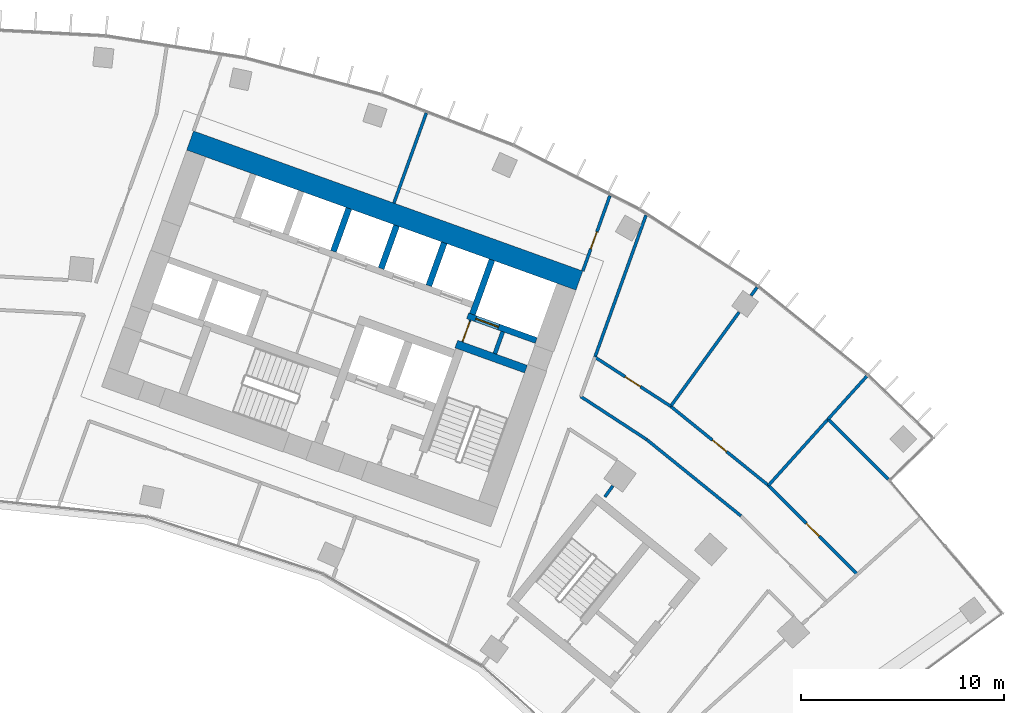
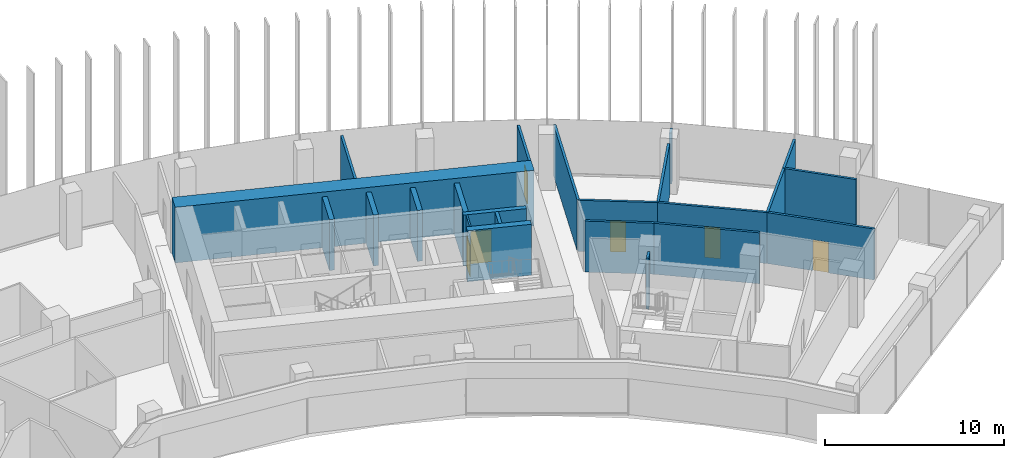
# One storey, part 17 of 20: 23 walls, 6 doors, 6 openings.
"""IFC4 building model written with IfcOpenShell, lengths in metres."""

from ifc_helpers import new_model, si_unit, direction, frame, frame_2d, origin, place, context, subcontext, project, spatial, rectangle, extrude, material, layer, layer_set, type_object, element, fill, save


model = new_model("IFC4")

# Units and contexts
model_context = context("Model", 3, precision=1e-05, world=origin(), true_north=direction((0.0, 1.0)))
body_context = subcontext(model_context, "Body", "Model", "MODEL_VIEW")
ifc_project = project(units=[si_unit("LENGTHUNIT", "METRE"), si_unit("AREAUNIT", "SQUARE_METRE"), si_unit("VOLUMEUNIT", "CUBIC_METRE"), si_unit("PLANEANGLEUNIT", "RADIAN"), si_unit("MASSUNIT", "GRAM", prefix="KILO")], contexts=[model_context])

# Site, building, storey
site_placement = place(None, origin())
site = spatial("IfcSite", under=ifc_project, at=site_placement, CompositionType="ELEMENT")
building_placement = place(site_placement, origin())
building = spatial("IfcBuilding", under=site, at=building_placement, Name="Stone Belt Terrace Tower", CompositionType="ELEMENT")
storey_placement = place(building_placement, frame((0.0, 0.0, 201.0)))
storey = spatial("IfcBuildingStorey", under=building, at=storey_placement, Name="L48", CompositionType="ELEMENT", Elevation=201.0)

# Wall, opening, door
ifc_material_1 = material(Name="Plasterboard partition")
ifc_layer_1 = layer(ifc_material_1, 0.10009765625)
ifc_layer_set_1 = layer_set([ifc_layer_1], Name="Core partition 100")
wall_type_1 = type_object("IfcWallType", Name="Core partition 100", PredefinedType="PARTITIONING", material=ifc_layer_set_1)
wall_1_placement = place(storey_placement, frame((24.555908203125, 51.10400390625, 0.0), z_axis=(0.0, 0.0, 1.0), x_axis=(0.338621735342, 0.94092258999, 0.0)))
wall_1 = element("IfcWall", 1, at=wall_1_placement, inside=storey, type_object=wall_type_1, Name="Core B wall", PredefinedType="PARTITIONING", context=body_context, shape_type="SweptSolid", body=[
    extrude(rectangle(XDim=1.14990234375, YDim=0.10009765625, at=frame_2d((0.574951171875, 0.0))), origin(), (0.0, 0.0, 1.0), 3.47998046875),
])
opening_1_placement = place(wall_1_placement, frame((0.050048828125, 0.0, 0.0)))
opening_1 = element("IfcOpeningElement", 2, at=opening_1_placement, cuts=wall_1, Name="Opening L48-C19", PredefinedType="OPENING", context=body_context, shape_type="SweptSolid", body=[
    extrude(rectangle(XDim=1.0, YDim=2.10009765625, at=frame_2d((0.5, 1.050048828125))), frame((0.0, 0.06005859375, 0.0), z_axis=(0.0, -1.0, 0.0), x_axis=(1.0, 0.0, 0.0)), (0.0, 0.0, 1.0), 0.1201171875),
])
ifc_material_2 = material(Name="Timber door leaf", Category="wood")
door_type_1 = type_object("IfcDoorType", Name="Core room door 1000", OperationType="SINGLE_SWING_LEFT", PredefinedType="DOOR", material=ifc_material_2)
door_1_placement = place(opening_1_placement, origin())
door_1 = element("IfcDoor", 3, at=door_1_placement, inside=storey, type_object=door_type_1, Name="Service lift lobby door core B", OperationType="SINGLE_SWING_RIGHT", OverallHeight=2.10009765625, OverallWidth=1.0, PredefinedType="DOOR", context=body_context, shape_type="SweptSolid", body=[
    extrude(rectangle(XDim=1.0, YDim=2.10009765625, at=frame_2d((0.5, 1.050048828125))), frame((0.0, 0.02490234375, 0.0), z_axis=(0.0, -1.0, 0.0), x_axis=(1.0, 0.0, 0.0)), (0.0, 0.0, 1.0), 0.050048828125),
])
fill(opening_1, door_1)

# Wall
ifc_material_3 = material(Name="Concrete B60", Category="concrete")
ifc_layer_2 = layer(ifc_material_3, 1.0)
ifc_layer_set_2 = layer_set([ifc_layer_2], Name="Core wall 1000 B60")
wall_type_2 = type_object("IfcWallType", Name="Core wall 1000 B60", PredefinedType="SHEAR", material=ifc_layer_set_2)
wall_2_placement = place(storey_placement, frame((11.12646484375, 61.038330078125, 0.0), z_axis=(0.0, 0.0, 1.0), x_axis=(0.940921428504, -0.338624962727, 0.0)))
element("IfcWall", 4, at=wall_2_placement, inside=storey, type_object=wall_type_2, Name="Core B wall convex L48", PredefinedType="SHEAR", context=body_context, shape_type="SweptSolid", body=[
    extrude(rectangle(XDim=20.400146484375, YDim=1.0, at=frame_2d((10.2001953125, 0.0))), origin(), (0.0, 0.0, 1.0), 3.800048828125),
])

# Wall, opening, door
ifc_material_4 = material(Name="Concrete B80", Category="concrete")
ifc_layer_3 = layer(ifc_material_4, 0.300048828125)
ifc_layer_set_3 = layer_set([ifc_layer_3], Name="Lift shaft wall 300")
wall_type_3 = type_object("IfcWallType", Name="Lift shaft wall 300", PredefinedType="SHEAR", material=ifc_layer_set_3)
wall_3_placement = place(storey_placement, frame((28.195068359375, 51.17578125, 0.0), z_axis=(0.0, 0.0, 1.0), x_axis=(-0.940901243567, 0.338681044427, 0.0)))
wall_3 = element("IfcWall", 5, at=wall_3_placement, inside=storey, type_object=wall_type_3, Name="Core B wall", PredefinedType="SHEAR", context=body_context, shape_type="SweptSolid", body=[
    extrude(rectangle(XDim=3.599853515625, YDim=0.300048828125, at=frame_2d((1.7998046875, 0.0))), origin(), (0.0, 0.0, 1.0), 3.47998046875),
])
opening_2_placement = place(wall_3_placement, frame((1.969970703125, 0.0, 0.0)))
opening_2 = element("IfcOpeningElement", 6, at=opening_2_placement, cuts=wall_3, Name="Opening L48-LD16", PredefinedType="OPENING", context=body_context, shape_type="SweptSolid", body=[
    extrude(rectangle(XDim=1.199951171875, YDim=2.199951171875, at=frame_2d((0.60009765625, 1.10009765625))), frame((0.0, 0.159912109375, 0.0), z_axis=(0.0, -1.0, 0.0), x_axis=(1.0, 0.0, 0.0)), (0.0, 0.0, 1.0), 0.320068359375),
])
ifc_material_5 = material(Name="Stainless steel door leaf", Category="steel")
door_type_2 = type_object("IfcDoorType", Name="Landing door 1200", OperationType="SLIDING_TO_LEFT", PredefinedType="DOOR", material=ifc_material_5)
door_2_placement = place(opening_2_placement, origin())
door_2 = element("IfcDoor", 7, at=door_2_placement, inside=storey, type_object=door_type_2, Name="Landing door SV1 core B", OperationType="SLIDING_TO_LEFT", OverallHeight=2.199951171875, OverallWidth=1.199951171875, PredefinedType="DOOR", context=body_context, shape_type="SweptSolid", body=[
    extrude(rectangle(XDim=1.199951171875, YDim=2.199951171875, at=frame_2d((0.60009765625, 1.10009765625))), frame((0.0, 0.02490234375, 0.0), z_axis=(0.0, -1.0, 0.0), x_axis=(1.0, 0.0, 0.0)), (0.0, 0.0, 1.0), 0.050048828125),
])
fill(opening_2, door_2)

# Walls
wall_4_placement = place(storey_placement, frame((25.046875, 52.46826171875, 0.0), z_axis=(0.0, 0.0, 1.0), x_axis=(0.338549588058, 0.940948551423, 0.0)))
element("IfcWall", 8, at=wall_4_placement, inside=storey, type_object=wall_type_3, Name="Core B wall", PredefinedType="SHEAR", context=body_context, shape_type="SweptSolid", body=[
    extrude(rectangle(XDim=2.849853515625, YDim=0.300048828125, at=frame_2d((1.4248046875, 0.0))), origin(), (0.0, 0.0, 1.0), 3.47998046875),
])
wall_5_placement = place(storey_placement, frame((22.897705078125, 53.87939453125, 0.0), z_axis=(0.0, 0.0, 1.0), x_axis=(0.338535034312, 0.940953787677, 0.0)))
element("IfcWall", 9, at=wall_5_placement, inside=storey, type_object=wall_type_3, Name="Core B wall", PredefinedType="SHEAR", context=body_context, shape_type="SweptSolid", body=[
    extrude(rectangle(XDim=2.25, YDim=0.300048828125, at=frame_2d((1.125, 0.0))), origin(), (0.0, 0.0, 1.0), 3.47998046875),
])
wall_6_placement = place(storey_placement, frame((20.54541015625, 54.72607421875, 0.0), z_axis=(0.0, 0.0, 1.0), x_axis=(0.338569601369, 0.940941350472, 0.0)))
element("IfcWall", 10, at=wall_6_placement, inside=storey, type_object=wall_type_3, Name="Core B wall", PredefinedType="SHEAR", context=body_context, shape_type="SweptSolid", body=[
    extrude(rectangle(XDim=2.249755859375, YDim=0.300048828125, at=frame_2d((1.125, 0.0))), origin(), (0.0, 0.0, 1.0), 3.47998046875),
])
wall_7_placement = place(storey_placement, frame((18.193115234375, 55.572509765625, 0.0), z_axis=(0.0, 0.0, 1.0), x_axis=(0.338535034312, 0.940953787677, 0.0)))
element("IfcWall", 11, at=wall_7_placement, inside=storey, type_object=wall_type_3, Name="Core B wall", PredefinedType="SHEAR", context=body_context, shape_type="SweptSolid", body=[
    extrude(rectangle(XDim=2.25, YDim=0.300048828125, at=frame_2d((1.125, 0.0))), origin(), (0.0, 0.0, 1.0), 3.47998046875),
])

# Wall, opening, door
ifc_material_6 = material(Name="Gypsum board partition")
ifc_layer_4 = layer(ifc_material_6, 0.14990234375)
ifc_layer_set_4 = layer_set([ifc_layer_4], Name="PARTITION 150 EI 60")
wall_type_4 = type_object("IfcWallType", Name="PARTITION 150 EI 60", PredefinedType="PARTITIONING", material=ifc_layer_set_4)
wall_8_placement = place(storey_placement, frame((30.490966796875, 54.60107421875, 0.0), z_axis=(0.0, 0.0, 1.0), x_axis=(0.338542007836, 0.940951278723, 0.0)))
wall_8 = element("IfcWall", 12, at=wall_8_placement, inside=storey, type_object=wall_type_4, Name="L48/wall/i026", PredefinedType="PARTITIONING", context=body_context, shape_type="SweptSolid", body=[
    extrude(rectangle(XDim=3.946044921875, YDim=0.14990234375, at=frame_2d((1.97314453125, 0.0))), origin(), (0.0, 0.0, 1.0), 3.47998046875),
])
opening_3_placement = place(wall_8_placement, frame((1.15625, 0.0, 0.0)))
opening_3 = element("IfcOpeningElement", 13, at=opening_3_placement, cuts=wall_8, Name="Opening D-D1-10", PredefinedType="OPENING", context=body_context, shape_type="SweptSolid", body=[
    extrude(rectangle(XDim=0.89990234375, YDim=2.10009765625, at=frame_2d((0.449951171875, 1.050048828125))), frame((0.0, 0.0849609375, 0.0), z_axis=(0.0, -1.0, 0.0), x_axis=(1.0, 0.0, 0.0)), (0.0, 0.0, 1.0), 0.169921875),
])
door_type_3 = type_object("IfcDoorType", Name="OFFICE DOOR 900 X 2100", OperationType="NOTDEFINED", PredefinedType="DOOR", material=ifc_material_2)
door_3_placement = place(opening_3_placement, origin())
door_3 = element("IfcDoor", 14, at=door_3_placement, inside=storey, type_object=door_type_3, Name="L48/door/i10", OperationType="SINGLE_SWING_LEFT", OverallHeight=2.10009765625, OverallWidth=0.89990234375, PredefinedType="DOOR", context=body_context, shape_type="SweptSolid", body=[
    extrude(rectangle(XDim=0.89990234375, YDim=2.10009765625, at=frame_2d((0.449951171875, 1.050048828125))), frame((0.0, 0.02490234375, 0.0), z_axis=(0.0, -1.0, 0.0), x_axis=(1.0, 0.0, 0.0)), (0.0, 0.0, 1.0), 0.050048828125),
])
fill(opening_3, door_3)

# Walls
wall_9_placement = place(storey_placement, frame((33.60791015625, 57.35400390625, 0.0), z_axis=(0.0, 0.0, 1.0), x_axis=(-0.33863814551, -0.940916684094, 0.0)))
element("IfcWall", 15, at=wall_9_placement, inside=storey, type_object=wall_type_4, Name="L48/wall/i031", PredefinedType="PARTITIONING", context=body_context, shape_type="SweptSolid", body=[
    extrude(rectangle(XDim=7.441650390625, YDim=0.14990234375, at=frame_2d((3.720703125, 0.0))), origin(), (0.0, 0.0, 1.0), 3.47998046875),
])
wall_10_placement = place(storey_placement, frame((22.77392578125, 62.39111328125, 0.0), z_axis=(0.0, 0.0, 1.0), x_axis=(-0.338561837607, -0.940944143994, 0.0)))
element("IfcWall", 16, at=wall_10_placement, inside=storey, type_object=wall_type_4, Name="L48/wall/i038", PredefinedType="PARTITIONING", context=body_context, shape_type="SweptSolid", body=[
    extrude(rectangle(XDim=4.716796875, YDim=0.14990234375, at=frame_2d((2.3583984375, 0.0))), origin(), (0.0, 0.0, 1.0), 3.47998046875),
])
wall_11_placement = place(storey_placement, frame((31.580078125, 43.466064453125, 0.0), z_axis=(0.0, 0.0, 1.0), x_axis=(0.587823865289, 0.808988938983, 0.0)))
element("IfcWall", 17, at=wall_11_placement, inside=storey, type_object=wall_type_4, Name="L48/wall/i043", PredefinedType="PARTITIONING", context=body_context, shape_type="SweptSolid", body=[
    extrude(rectangle(XDim=0.66796875, YDim=0.14990234375, at=frame_2d((0.333984375, 0.0))), origin(), (0.0, 0.0, 1.0), 3.47998046875),
])
wall_12_placement = place(storey_placement, frame((30.39111328125, 48.4150390625, 0.0), z_axis=(0.0, 0.0, 1.0), x_axis=(0.837265796004, -0.546796110851, 0.0)))
element("IfcWall", 18, at=wall_12_placement, inside=storey, type_object=wall_type_4, Name="L48/wall/i046", PredefinedType="PARTITIONING", context=body_context, shape_type="SweptSolid", body=[
    extrude(rectangle(XDim=3.87548828125, YDim=0.14990234375, at=frame_2d((1.937744140625, 0.0))), origin(), (0.0, 0.0, 1.0), 3.47998046875),
])
wall_13_placement = place(storey_placement, frame((33.635986328125, 46.2958984375, 0.0), z_axis=(0.0, 0.0, 1.0), x_axis=(0.77714422733, -0.629322532513, 0.0)))
element("IfcWall", 19, at=wall_13_placement, inside=storey, type_object=wall_type_4, Name="L48/wall/i047", PredefinedType="PARTITIONING", context=body_context, shape_type="SweptSolid", body=[
    extrude(rectangle(XDim=5.98876953125, YDim=0.14990234375, at=frame_2d((2.994384765625, 0.0))), origin(), (0.0, 0.0, 1.0), 3.47998046875),
])

# Wall, opening, door
wall_14_placement = place(storey_placement, frame((31.090087890625, 50.35693359375, 0.0), z_axis=(0.0, 0.0, 1.0), x_axis=(0.838646515126, -0.544676071319, 0.0)))
wall_14 = element("IfcWall", 20, at=wall_14_placement, inside=storey, type_object=wall_type_4, Name="L48/wall/i052", PredefinedType="PARTITIONING", context=body_context, shape_type="SweptSolid", body=[
    extrude(rectangle(XDim=4.452392578125, YDim=0.14990234375, at=frame_2d((2.22607421875, 0.0))), origin(), (0.0, 0.0, 1.0), 3.47998046875),
])
opening_4_placement = place(wall_14_placement, frame((1.776123046875, 0.0, 0.0)))
opening_4 = element("IfcOpeningElement", 21, at=opening_4_placement, cuts=wall_14, Name="Opening D-D1-16", PredefinedType="OPENING", context=body_context, shape_type="SweptSolid", body=[
    extrude(rectangle(XDim=0.89990234375, YDim=2.10009765625, at=frame_2d((0.449951171875, 1.050048828125))), frame((0.0, 0.0849609375, 0.0), z_axis=(0.0, -1.0, 0.0), x_axis=(1.0, 0.0, 0.0)), (0.0, 0.0, 1.0), 0.169921875),
])
door_4_placement = place(opening_4_placement, origin())
door_4 = element("IfcDoor", 22, at=door_4_placement, inside=storey, type_object=door_type_3, Name="L48/door/i16", OperationType="SINGLE_SWING_RIGHT", OverallHeight=2.10009765625, OverallWidth=0.89990234375, PredefinedType="DOOR", context=body_context, shape_type="SweptSolid", body=[
    extrude(rectangle(XDim=0.89990234375, YDim=2.10009765625, at=frame_2d((0.449951171875, 1.050048828125))), frame((0.0, 0.02490234375, 0.0), z_axis=(0.0, -1.0, 0.0), x_axis=(1.0, 0.0, 0.0)), (0.0, 0.0, 1.0), 0.050048828125),
])
fill(opening_4, door_4)

wall_15_placement = place(storey_placement, frame((34.823974609375, 47.931884765625, 0.0), z_axis=(0.0, 0.0, 1.0), x_axis=(0.777176112755, -0.629283155473, 0.0)))
wall_15 = element("IfcWall", 23, at=wall_15_placement, inside=storey, type_object=wall_type_4, Name="L48/wall/i053", PredefinedType="PARTITIONING", context=body_context, shape_type="SweptSolid", body=[
    extrude(rectangle(XDim=6.2021484375, YDim=0.14990234375, at=frame_2d((3.10107421875, 0.0))), origin(), (0.0, 0.0, 1.0), 3.47998046875),
])
opening_5_placement = place(wall_15_placement, frame((2.651123046875, 0.0, 0.0)))
opening_5 = element("IfcOpeningElement", 24, at=opening_5_placement, cuts=wall_15, Name="Opening D-D1-17", PredefinedType="OPENING", context=body_context, shape_type="SweptSolid", body=[
    extrude(rectangle(XDim=0.89990234375, YDim=2.10009765625, at=frame_2d((0.449951171875, 1.050048828125))), frame((0.0, 0.0849609375, 0.0), z_axis=(0.0, -1.0, 0.0), x_axis=(1.0, 0.0, 0.0)), (0.0, 0.0, 1.0), 0.169921875),
])
door_5_placement = place(opening_5_placement, origin())
door_5 = element("IfcDoor", 25, at=door_5_placement, inside=storey, type_object=door_type_3, Name="L48/door/i17", OperationType="SINGLE_SWING_RIGHT", OverallHeight=2.10009765625, OverallWidth=0.89990234375, PredefinedType="DOOR", context=body_context, shape_type="SweptSolid", body=[
    extrude(rectangle(XDim=0.89990234375, YDim=2.10009765625, at=frame_2d((0.449951171875, 1.050048828125))), frame((0.0, 0.02490234375, 0.0), z_axis=(0.0, -1.0, 0.0), x_axis=(1.0, 0.0, 0.0)), (0.0, 0.0, 1.0), 0.050048828125),
])
fill(opening_5, door_5)

wall_16_placement = place(storey_placement, frame((39.639892578125, 44.032958984375, 0.0), z_axis=(0.0, 0.0, 1.0), x_axis=(0.707126447351, -0.707087114475, 0.0)))
wall_16 = element("IfcWall", 26, at=wall_16_placement, inside=storey, type_object=wall_type_4, Name="L48/wall/i054", PredefinedType="PARTITIONING", context=body_context, shape_type="SweptSolid", body=[
    extrude(rectangle(XDim=6.20703125, YDim=0.14990234375, at=frame_2d((3.103515625, 0.0))), origin(), (0.0, 0.0, 1.0), 3.47998046875),
])
opening_6_placement = place(wall_16_placement, frame((2.653564453125, 0.0, 0.0)))
opening_6 = element("IfcOpeningElement", 27, at=opening_6_placement, cuts=wall_16, Name="Opening D-D1-18", PredefinedType="OPENING", context=body_context, shape_type="SweptSolid", body=[
    extrude(rectangle(XDim=0.89990234375, YDim=2.10009765625, at=frame_2d((0.449951171875, 1.050048828125))), frame((0.0, 0.0849609375, 0.0), z_axis=(0.0, -1.0, 0.0), x_axis=(1.0, 0.0, 0.0)), (0.0, 0.0, 1.0), 0.169921875),
])
door_6_placement = place(opening_6_placement, origin())
door_6 = element("IfcDoor", 28, at=door_6_placement, inside=storey, type_object=door_type_3, Name="L48/door/i18", OperationType="SINGLE_SWING_RIGHT", OverallHeight=2.10009765625, OverallWidth=0.89990234375, PredefinedType="DOOR", context=body_context, shape_type="SweptSolid", body=[
    extrude(rectangle(XDim=0.89990234375, YDim=2.10009765625, at=frame_2d((0.449951171875, 1.050048828125))), frame((0.0, 0.02490234375, 0.0), z_axis=(0.0, -1.0, 0.0), x_axis=(1.0, 0.0, 0.0)), (0.0, 0.0, 1.0), 0.050048828125),
])
fill(opening_6, door_6)

# Walls
wall_17_placement = place(storey_placement, frame((39.087890625, 53.7998046875, 0.0), z_axis=(0.0, 0.0, 1.0), x_axis=(-0.588057050604, -0.808819451568, 0.0)))
element("IfcWall", 29, at=wall_17_placement, inside=storey, type_object=wall_type_4, Name="L48/wall/i055", PredefinedType="PARTITIONING", context=body_context, shape_type="SweptSolid", body=[
    extrude(rectangle(XDim=0.506591796875, YDim=0.14990234375, at=frame_2d((0.25341796875, 0.0))), origin(), (0.0, 0.0, 1.0), 3.47998046875),
])
wall_18_placement = place(storey_placement, frame((38.196533203125, 52.572998046875, 0.0), z_axis=(0.0, 0.0, 1.0), x_axis=(-0.587741422295, -0.809048836918, 0.0)))
element("IfcWall", 30, at=wall_18_placement, inside=storey, type_object=wall_type_4, Name="L48/wall/i056", PredefinedType="PARTITIONING", context=body_context, shape_type="SweptSolid", body=[
    extrude(rectangle(XDim=5.736572265625, YDim=0.14990234375, at=frame_2d((2.8681640625, 0.0))), origin(), (0.0, 0.0, 1.0), 3.47998046875),
])
wall_19_placement = place(storey_placement, frame((42.592041015625, 47.302978515625, 0.0), z_axis=(0.0, 0.0, 1.0), x_axis=(-0.669148410698, -0.743128793992, 0.0)))
element("IfcWall", 31, at=wall_19_placement, inside=storey, type_object=wall_type_4, Name="L48/wall/i057", PredefinedType="PARTITIONING", context=body_context, shape_type="SweptSolid", body=[
    extrude(rectangle(XDim=4.405517578125, YDim=0.14990234375, at=frame_2d((2.20263671875, 0.0))), origin(), (0.0, 0.0, 1.0), 3.47998046875),
])
wall_20_placement = place(storey_placement, frame((44.496826171875, 49.419189453125, 0.0), z_axis=(0.0, 0.0, 1.0), x_axis=(-0.669158170693, -0.743120005514, 0.0)))
element("IfcWall", 32, at=wall_20_placement, inside=storey, type_object=wall_type_4, Name="L48/wall/i058", PredefinedType="PARTITIONING", context=body_context, shape_type="SweptSolid", body=[
    extrude(rectangle(XDim=2.858642578125, YDim=0.14990234375, at=frame_2d((1.42919921875, 0.0))), origin(), (0.0, 0.0, 1.0), 3.47998046875),
])
wall_21_placement = place(storey_placement, frame((42.587890625, 47.299072265625, 0.0), z_axis=(0.0, 0.0, 1.0), x_axis=(0.707106781187, -0.707106781187, 0.0)))
element("IfcWall", 33, at=wall_21_placement, inside=storey, type_object=wall_type_4, Name="L48/wall/i059", PredefinedType="PARTITIONING", context=body_context, shape_type="SweptSolid", body=[
    extrude(rectangle(XDim=4.2099609375, YDim=0.14990234375, at=frame_2d((2.10498046875, 0.0))), origin(), (0.0, 0.0, 1.0), 3.47998046875),
])
ifc_material_7 = material(Name="Concrete masonry block", Category="masonry")
ifc_layer_5 = layer(ifc_material_7, 0.199951171875)
ifc_layer_set_5 = layer_set([ifc_layer_5], Name="Rated lobby wall 200")
wall_type_5 = type_object("IfcWallType", Name="Rated lobby wall 200", PredefinedType="PARTITIONING", material=ifc_layer_set_5)
wall_22_placement = place(storey_placement, frame((26.1552734375, 50.5283203125, 0.0), z_axis=(0.0, 0.0, 1.0), x_axis=(0.338621735342, 0.94092258999, 0.0)))
element("IfcWall", 34, at=wall_22_placement, inside=storey, type_object=wall_type_5, Name="Core B wall", PredefinedType="PARTITIONING", context=body_context, shape_type="SweptSolid", body=[
    extrude(rectangle(XDim=1.14990234375, YDim=0.199951171875, at=frame_2d((0.574951171875, 0.0))), origin(), (0.0, 0.0, 1.0), 3.47998046875),
])
ifc_layer_6 = layer(ifc_material_4, 0.39990234375)
ifc_layer_set_6 = layer_set([ifc_layer_6], Name="Stair enclosure wall 400")
wall_type_6 = type_object("IfcWallType", Name="Stair enclosure wall 400", PredefinedType="SHEAR", material=ifc_layer_set_6)
wall_23_placement = place(storey_placement, frame((27.687255859375, 49.764404296875, 0.0), z_axis=(0.0, 0.0, 1.0), x_axis=(-0.940918954884, 0.338631835981, 0.0)))
element("IfcWall", 35, at=wall_23_placement, inside=storey, type_object=wall_type_6, Name="Core B wall", PredefinedType="SHEAR", context=body_context, shape_type="SweptSolid", body=[
    extrude(rectangle(XDim=3.650146484375, YDim=0.39990234375, at=frame_2d((1.8251953125, 0.0))), origin(), (0.0, 0.0, 1.0), 3.47998046875),
])

save(model, "model.ifc")
